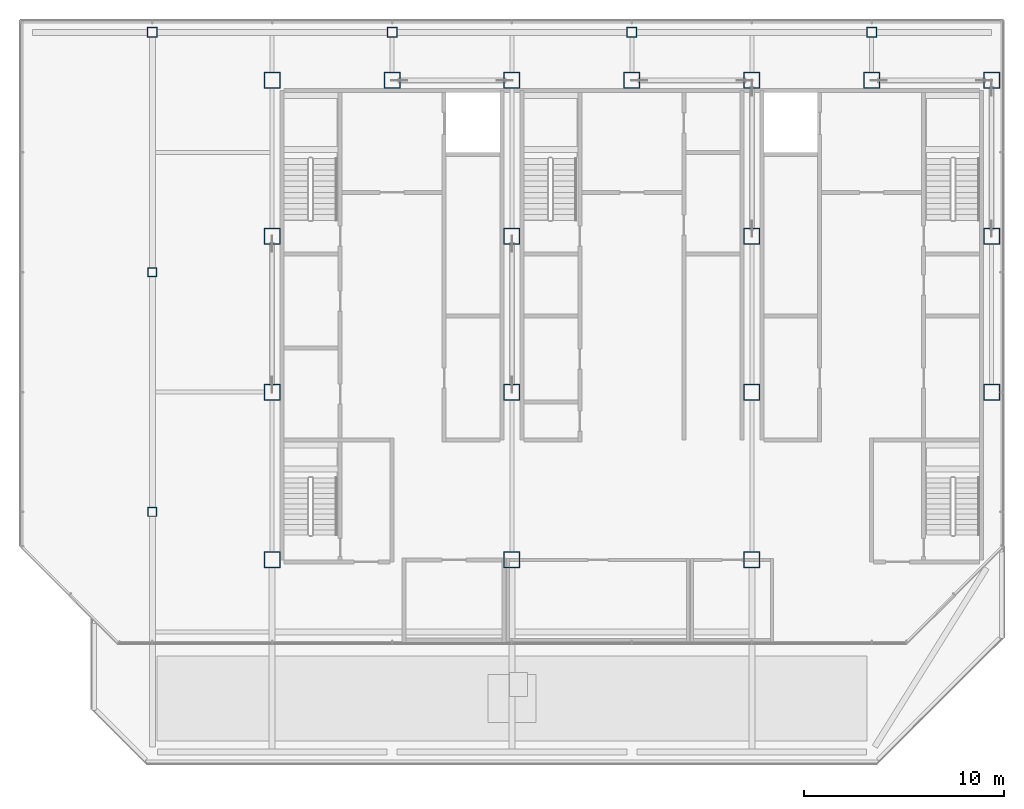
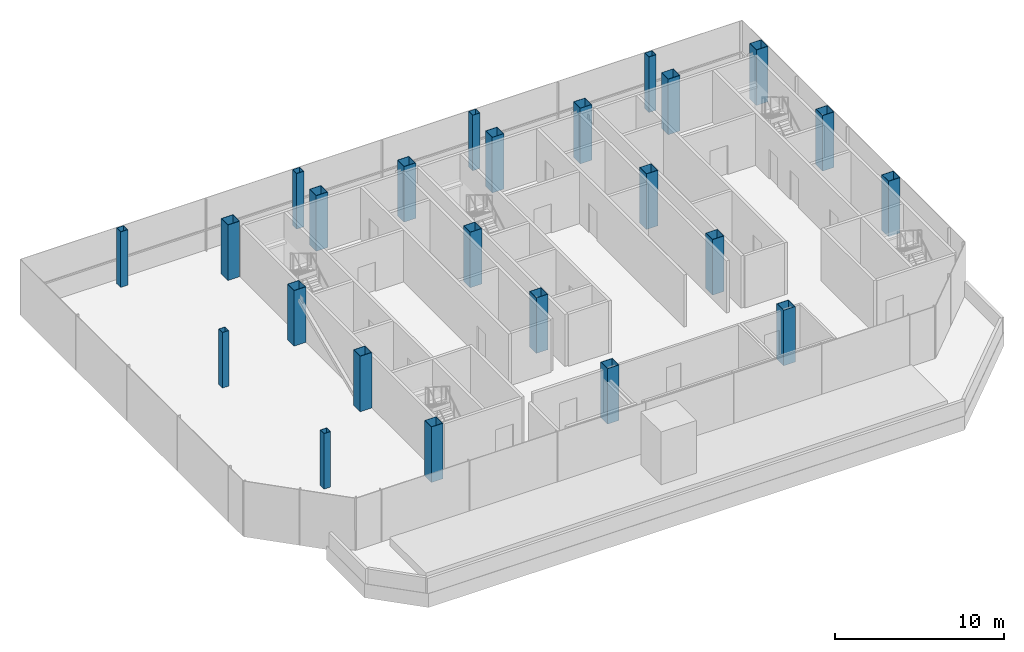
# One storey, part 1 of 18: 24 columns.
"""IFC4 building model written with IfcOpenShell, lengths in metres."""

from ifc_helpers import new_model, si_unit, direction, frame, origin, origin_2d, place, context, subcontext, project, spatial, hollow_rectangle, extrude, material, material_profile, profile_set, type_object, element, save


model = new_model("IFC4")

# Units and contexts
model_context = context("Model", 3, precision=1e-05, world=origin(), true_north=direction((0.0, 1.0)))
body_context = subcontext(model_context, "Body", "Model", "MODEL_VIEW")
ifc_project = project(units=[si_unit("LENGTHUNIT", "METRE"), si_unit("AREAUNIT", "SQUARE_METRE"), si_unit("VOLUMEUNIT", "CUBIC_METRE"), si_unit("PLANEANGLEUNIT", "RADIAN"), si_unit("MASSUNIT", "GRAM", prefix="KILO")], contexts=[model_context])

# Site, building, storey
site_placement = place(None, origin())
site = spatial("IfcSite", under=ifc_project, at=site_placement, CompositionType="ELEMENT")
building_placement = place(site_placement, origin())
building = spatial("IfcBuilding", under=site, at=building_placement, Name="Sorahane Residences", CompositionType="ELEMENT")
storey_placement = place(building_placement, frame((0.0, 0.0, 345.800048828125)))
storey = spatial("IfcBuildingStorey", under=building, at=storey_placement, Name="L82", CompositionType="ELEMENT", Elevation=345.800048828125)

# Columns
ifc_material_1 = material(Name="Steel Q355B", Category="steel")
ifc_material_profile_1 = material_profile(ifc_material_1, hollow_rectangle(XDim=0.449951171875, YDim=0.449951171875, WallThickness=0.02197265625, at=origin_2d()), Name="BOX 450x450x22")
ifc_profile_set_1 = profile_set([ifc_material_profile_1], Name="Steel Q355B")
column_type_1 = type_object("IfcColumnType", Name="Steel box column BOX 450x450x22 Q355B", PredefinedType="COLUMN", material=ifc_profile_set_1)
for number, where, z_axis, x_axis, name in (
    (1, (0.0, 24.0, 0.0), (0.0, 0.0, 1.0), (1.0, 0.0, 0.0), "Column L82 0/24"),
    (2, (0.0, 36.0, 0.0), (0.0, 0.0, 1.0), (1.0, 0.0, 0.0), "Column L82 0/36"),
):
    element("IfcColumn", number, at=place(storey_placement, frame(where, z_axis=z_axis, x_axis=x_axis)), inside=storey, type_object=column_type_1, Name=name, PredefinedType="COLUMN", context=body_context, shape_type="SweptSolid", body=[
        extrude(hollow_rectangle(XDim=0.449951171875, YDim=0.449951171875, WallThickness=0.02197265625, at=origin_2d()), origin(), (0.0, 0.0, 1.0), 4.0),
    ])
ifc_material_2 = material(Name="Steel Q355B", Category="steel")
ifc_material_profile_2 = material_profile(ifc_material_2, hollow_rectangle(XDim=0.5, YDim=0.5, WallThickness=0.02490234375, at=origin_2d()), Name="BOX 500x500x25")
ifc_profile_set_2 = profile_set([ifc_material_profile_2], Name="Steel Q355B")
column_type_2 = type_object("IfcColumnType", Name="Steel box column BOX 500x500x25 Q355B", PredefinedType="COLUMN", material=ifc_profile_set_2)
for number, where, z_axis, x_axis, name in (
    (3, (0.0, 48.0, 0.0), (0.0, 0.0, 1.0), (1.0, 0.0, 0.0), "Column L82 0/48"),
    (4, (12.0, 48.0, 0.0), (0.0, 0.0, 1.0), (1.0, 0.0, 0.0), "Column L82 12/48"),
    (5, (24.0, 48.0, 0.0), (0.0, 0.0, 1.0), (1.0, 0.0, 0.0), "Column L82 24/48"),
    (6, (36.0, 48.0, 0.0), (0.0, 0.0, 1.0), (1.0, 0.0, 0.0), "Column L82 36/48"),
):
    element("IfcColumn", number, at=place(storey_placement, frame(where, z_axis=z_axis, x_axis=x_axis)), inside=storey, type_object=column_type_2, Name=name, PredefinedType="COLUMN", context=body_context, shape_type="SweptSolid", body=[
        extrude(hollow_rectangle(XDim=0.5, YDim=0.5, WallThickness=0.02490234375, at=origin_2d()), origin(), (0.0, 0.0, 1.0), 4.0),
    ])
ifc_material_3 = material(Name="Steel Q355B", Category="steel")
ifc_material_profile_3 = material_profile(ifc_material_3, hollow_rectangle(XDim=0.800048828125, YDim=0.800048828125, WallThickness=0.02490234375, at=origin_2d()), Name="BOX 800x800x25")
ifc_profile_set_3 = profile_set([ifc_material_profile_3], Name="Steel Q355B")
column_type_3 = type_object("IfcColumnType", Name="Steel box column BOX 800x800x25 Q355B", PredefinedType="COLUMN", material=ifc_profile_set_3)
for number, where, z_axis, x_axis, name in (
    (7, (6.0, 21.60009765625, 0.0), (0.0, 0.0, 1.0), (1.0, 0.0, 0.0), "Column L82 6/21.6"),
    (8, (6.0, 30.0, 0.0), (0.0, 0.0, 1.0), (1.0, 0.0, 0.0), "Column L82 6/30"),
    (9, (6.0, 37.800048828125, 0.0), (0.0, 0.0, 1.0), (1.0, 0.0, 0.0), "Column L82 6/37.8"),
    (10, (6.0, 45.60009765625, 0.0), (0.0, 0.0, 1.0), (1.0, 0.0, 0.0), "Column L82 6/45.6"),
    (11, (12.0, 45.60009765625, 0.0), (0.0, 0.0, 1.0), (1.0, 0.0, 0.0), "Column L82 12/45.6"),
    (12, (18.0, 21.60009765625, 0.0), (0.0, 0.0, 1.0), (1.0, 0.0, 0.0), "Column L82 18/21.6"),
    (13, (18.0, 30.0, 0.0), (0.0, 0.0, 1.0), (1.0, 0.0, 0.0), "Column L82 18/30"),
    (14, (18.0, 37.800048828125, 0.0), (0.0, 0.0, 1.0), (1.0, 0.0, 0.0), "Column L82 18/37.8"),
    (15, (18.0, 45.60009765625, 0.0), (0.0, 0.0, 1.0), (1.0, 0.0, 0.0), "Column L82 18/45.6"),
    (16, (24.0, 45.60009765625, 0.0), (0.0, 0.0, 1.0), (1.0, 0.0, 0.0), "Column L82 24/45.6"),
    (17, (30.0, 21.60009765625, 0.0), (0.0, 0.0, 1.0), (1.0, 0.0, 0.0), "Column L82 30/21.6"),
    (18, (30.0, 30.0, 0.0), (0.0, 0.0, 1.0), (1.0, 0.0, 0.0), "Column L82 30/30"),
    (19, (30.0, 37.800048828125, 0.0), (0.0, 0.0, 1.0), (1.0, 0.0, 0.0), "Column L82 30/37.8"),
    (20, (30.0, 45.60009765625, 0.0), (0.0, 0.0, 1.0), (1.0, 0.0, 0.0), "Column L82 30/45.6"),
    (21, (36.0, 45.60009765625, 0.0), (0.0, 0.0, 1.0), (1.0, 0.0, 0.0), "Column L82 36/45.6"),
    (22, (42.0, 30.0, 0.0), (0.0, 0.0, 1.0), (1.0, 0.0, 0.0), "Column L82 42/30"),
    (23, (42.0, 37.800048828125, 0.0), (0.0, 0.0, 1.0), (1.0, 0.0, 0.0), "Column L82 42/37.8"),
    (24, (42.0, 45.60009765625, 0.0), (0.0, 0.0, 1.0), (1.0, 0.0, 0.0), "Column L82 42/45.6"),
):
    element("IfcColumn", number, at=place(storey_placement, frame(where, z_axis=z_axis, x_axis=x_axis)), inside=storey, type_object=column_type_3, Name=name, PredefinedType="COLUMN", context=body_context, shape_type="SweptSolid", body=[
        extrude(hollow_rectangle(XDim=0.800048828125, YDim=0.800048828125, WallThickness=0.02490234375, at=origin_2d()), origin(), (0.0, 0.0, 1.0), 4.0),
    ])

save(model, "model.ifc")
